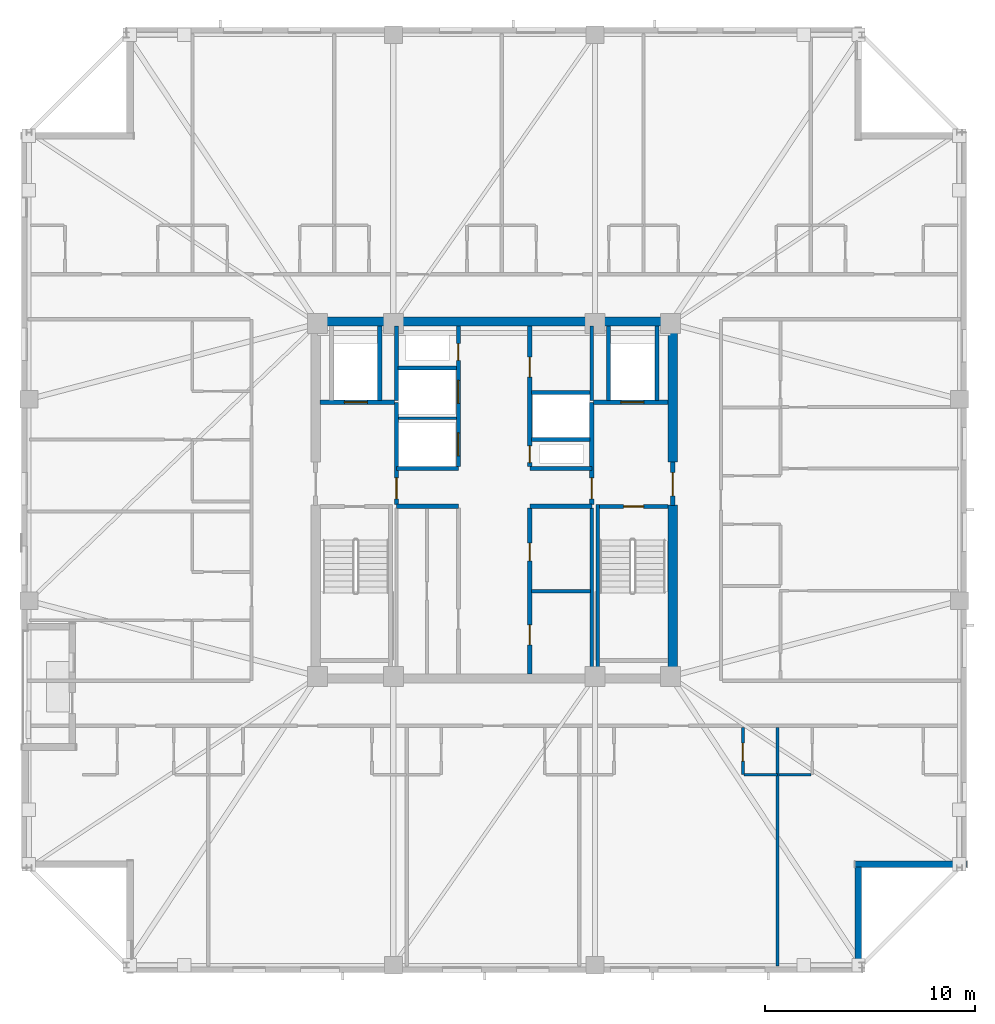
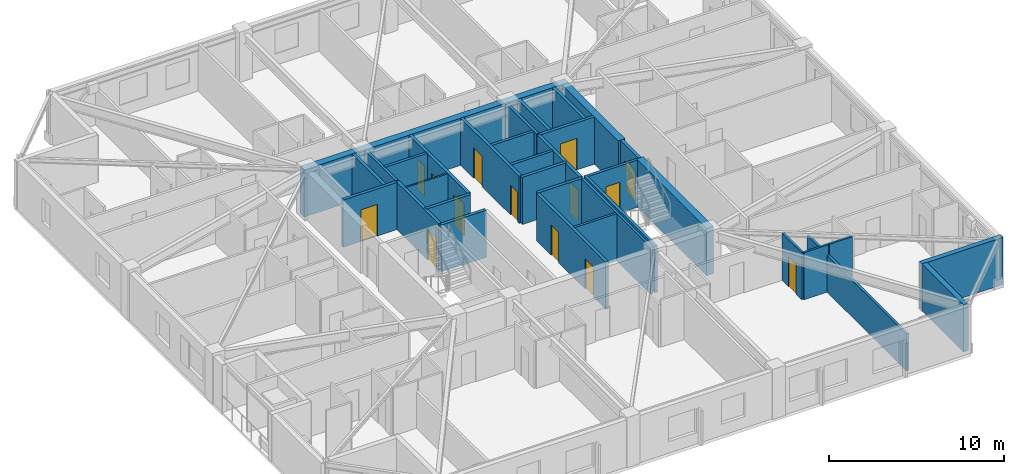
# One storey, part 9 of 17: 34 walls, 14 doors, 14 openings.
"""IFC4 building model written with IfcOpenShell, lengths in metres."""

from ifc_helpers import new_model, si_unit, direction, frame, frame_2d, origin, place, context, subcontext, project, spatial, rectangle, extrude, material, layer, layer_set, type_object, element, fill, save


model = new_model("IFC4")

# Units and contexts
model_context = context("Model", 3, precision=1e-05, world=origin(), true_north=direction((0.0, 1.0)))
body_context = subcontext(model_context, "Body", "Model", "MODEL_VIEW")
ifc_project = project(units=[si_unit("LENGTHUNIT", "METRE"), si_unit("AREAUNIT", "SQUARE_METRE"), si_unit("VOLUMEUNIT", "CUBIC_METRE"), si_unit("PLANEANGLEUNIT", "RADIAN"), si_unit("MASSUNIT", "GRAM", prefix="KILO")], contexts=[model_context])

# Site, building, storey
site_placement = place(None, origin())
site = spatial("IfcSite", under=ifc_project, at=site_placement, CompositionType="ELEMENT")
building_placement = place(site_placement, origin())
building = spatial("IfcBuilding", under=site, at=building_placement, Name="Cairnveth Concourse Tower", CompositionType="ELEMENT")
storey_placement = place(building_placement, frame((0.0, 0.0, 251.5)))
storey = spatial("IfcBuildingStorey", under=building, at=storey_placement, Name="L69", CompositionType="ELEMENT", Elevation=251.5)

# Walls
ifc_material_1 = material(Name="Gypsum Plasterboard Partition", Category="gypsum")
ifc_layer_1 = layer(ifc_material_1, 0.159912109375)
ifc_layer_set_1 = layer_set([ifc_layer_1], Name="Gypsum Plasterboard Partition")
wall_type_1 = type_object("IfcWallType", Name="ACOUSTIC PARTY WALL 180", PredefinedType="PARTITIONING", material=ifc_layer_set_1)
wall_1_placement = place(storey_placement, frame((56.64990234375, 30.7099609375, 0.0), z_axis=(0.0, 0.0, 1.0), x_axis=(0.0, 1.0, 0.0)))
element("IfcWall", 1, at=wall_1_placement, inside=storey, type_object=wall_type_1, Name="Interior Wall IW-L69-027", PredefinedType="PARTITIONING", context=body_context, shape_type="SweptSolid", body=[
    extrude(rectangle(XDim=7.905029296875, YDim=0.159912109375, at=frame_2d((3.95263671875, 0.0))), origin(), (0.0, 0.0, 1.0), 3.2900390625),
])
wall_2_placement = place(storey_placement, frame((53.784912109375, 34.64990234375, 0.0), z_axis=(0.0, 0.0, 1.0), x_axis=(1.0, 0.0, 0.0)))
element("IfcWall", 2, at=wall_2_placement, inside=storey, type_object=wall_type_1, Name="Interior Wall IW-L69-028", PredefinedType="PARTITIONING", context=body_context, shape_type="SweptSolid", body=[
    extrude(rectangle(XDim=2.800048828125, YDim=0.159912109375, at=frame_2d((1.39990234375, 0.0))), origin(), (0.0, 0.0, 1.0), 3.2900390625),
])
wall_3_placement = place(storey_placement, frame((65.49560546875, 16.804931640625, 0.0), z_axis=(0.0, 0.0, 1.0), x_axis=(0.0, 1.0, 0.0)))
element("IfcWall", 3, at=wall_3_placement, inside=storey, type_object=wall_type_1, Name="Interior Wall IW-L69-062", PredefinedType="PARTITIONING", context=body_context, shape_type="SweptSolid", body=[
    extrude(rectangle(XDim=11.36767578125, YDim=0.159912109375, at=frame_2d((5.683837890625, 0.0))), origin(), (0.0, 0.0, 1.0), 2.572998046875),
])
ifc_material_2 = material(Name="Concrete N65 (65 MPa)", Category="concrete")
ifc_layer_2 = layer(ifc_material_2, 0.449951171875)
ifc_layer_set_2 = layer_set([ifc_layer_2], Name="Concrete N65 (65 MPa)")
wall_type_2 = type_object("IfcWallType", Name="CORE SHEAR WALL 450", PredefinedType="SHEAR", material=ifc_layer_set_2)
wall_4_placement = place(storey_placement, frame((43.27490234375, 47.5, 0.0), z_axis=(0.0, 0.0, 1.0), x_axis=(1.0, 0.0, 0.0)))
element("IfcWall", 4, at=wall_4_placement, inside=storey, type_object=wall_type_2, Name="Core North Shear Wall L69", PredefinedType="SHEAR", context=body_context, shape_type="SweptSolid", body=[
    extrude(rectangle(XDim=17.4501953125, YDim=0.449951171875, at=frame_2d((8.72509765625, 0.0))), origin(), (0.0, 0.0, 1.0), 3.2900390625),
])
wall_5_placement = place(storey_placement, frame((60.5, 30.715087890625, 0.0), z_axis=(0.0, 0.0, 1.0), x_axis=(0.0, 1.0, 0.0)))
element("IfcWall", 5, at=wall_5_placement, inside=storey, type_object=wall_type_2, Name="Core East Shear Wall S L69", PredefinedType="SHEAR", context=body_context, shape_type="SweptSolid", body=[
    extrude(rectangle(XDim=8.034912109375, YDim=0.449951171875, at=frame_2d((4.017578125, 0.0))), origin(), (0.0, 0.0, 1.0), 3.2900390625),
])
wall_6_placement = place(storey_placement, frame((60.5, 40.800048828125, 0.0), z_axis=(0.0, 0.0, 1.0), x_axis=(0.0, 1.0, 0.0)))
element("IfcWall", 6, at=wall_6_placement, inside=storey, type_object=wall_type_2, Name="Core East Shear Wall N L69", PredefinedType="SHEAR", context=body_context, shape_type="SweptSolid", body=[
    extrude(rectangle(XDim=6.48486328125, YDim=0.449951171875, at=frame_2d((3.242431640625, 0.0))), origin(), (0.0, 0.0, 1.0), 3.2900390625),
])
ifc_material_3 = material(Name="Concrete N50 (50 MPa)", Category="concrete")
ifc_layer_3 = layer(ifc_material_3, 0.179931640625)
ifc_layer_set_3 = layer_set([ifc_layer_3], Name="Concrete N50 (50 MPa)")
wall_type_3 = type_object("IfcWallType", Name="FIRE SHAFT WALL 180", PredefinedType="SOLIDWALL", material=ifc_layer_set_3)
wall_7_placement = place(storey_placement, frame((47.35009765625, 43.735107421875, 0.0), z_axis=(0.0, 0.0, 1.0), x_axis=(0.0, 1.0, 0.0)))
element("IfcWall", 7, at=wall_7_placement, inside=storey, type_object=wall_type_3, Name="Interior Wall IW-L69-029", PredefinedType="SOLIDWALL", context=body_context, shape_type="SweptSolid", body=[
    extrude(rectangle(XDim=3.554931640625, YDim=0.179931640625, at=frame_2d((1.77734375, 0.0))), origin(), (0.0, 0.0, 1.0), 3.2900390625),
])
wall_8_placement = place(storey_placement, frame((47.425048828125, 45.280029296875, 0.0), z_axis=(0.0, 0.0, 1.0), x_axis=(1.0, 0.0, 0.0)))
element("IfcWall", 8, at=wall_8_placement, inside=storey, type_object=wall_type_3, Name="Interior Wall IW-L69-031", PredefinedType="SOLIDWALL", context=body_context, shape_type="SweptSolid", body=[
    extrude(rectangle(XDim=2.7900390625, YDim=0.179931640625, at=frame_2d((1.39501953125, 0.0))), origin(), (0.0, 0.0, 1.0), 3.2900390625),
])
wall_9_placement = place(storey_placement, frame((56.64990234375, 43.735107421875, 0.0), z_axis=(0.0, 0.0, 1.0), x_axis=(0.0, 1.0, 0.0)))
element("IfcWall", 9, at=wall_9_placement, inside=storey, type_object=wall_type_3, Name="Interior Wall IW-L69-032", PredefinedType="SOLIDWALL", context=body_context, shape_type="SweptSolid", body=[
    extrude(rectangle(XDim=3.554931640625, YDim=0.179931640625, at=frame_2d((1.77734375, 0.0))), origin(), (0.0, 0.0, 1.0), 3.2900390625),
])
wall_10_placement = place(storey_placement, frame((53.784912109375, 41.8798828125, 0.0), z_axis=(0.0, 0.0, 1.0), x_axis=(1.0, 0.0, 0.0)))
element("IfcWall", 10, at=wall_10_placement, inside=storey, type_object=wall_type_3, Name="Interior Wall IW-L69-033", PredefinedType="SOLIDWALL", context=body_context, shape_type="SweptSolid", body=[
    extrude(rectangle(XDim=2.780029296875, YDim=0.179931640625, at=frame_2d((1.39013671875, 0.0))), origin(), (0.0, 0.0, 1.0), 3.2900390625),
])
wall_11_placement = place(storey_placement, frame((53.784912109375, 44.1201171875, 0.0), z_axis=(0.0, 0.0, 1.0), x_axis=(1.0, 0.0, 0.0)))
element("IfcWall", 11, at=wall_11_placement, inside=storey, type_object=wall_type_3, Name="Interior Wall IW-L69-034", PredefinedType="SOLIDWALL", context=body_context, shape_type="SweptSolid", body=[
    extrude(rectangle(XDim=2.7900390625, YDim=0.179931640625, at=frame_2d((1.39501953125, 0.0))), origin(), (0.0, 0.0, 1.0), 3.2900390625),
])

# Wall, opening, door
wall_12_placement = place(storey_placement, frame((57.0048828125, 38.68994140625, 0.0), z_axis=(0.0, 0.0, 1.0), x_axis=(1.0, 0.0, 0.0)))
wall_12 = element("IfcWall", 12, at=wall_12_placement, inside=storey, type_object=wall_type_3, Name="Stair ST-2 Shaft Wall NEAR L69", PredefinedType="SOLIDWALL", context=body_context, shape_type="SweptSolid", body=[
    extrude(rectangle(XDim=3.280029296875, YDim=0.179931640625, at=frame_2d((1.64013671875, 0.0))), origin(), (0.0, 0.0, 1.0), 3.2900390625),
])
opening_1_placement = place(wall_12_placement, frame((1.1650390625, 0.0, 0.0)))
opening_1 = element("IfcOpeningElement", 13, at=opening_1_placement, cuts=wall_12, Name="Opening ID12", PredefinedType="OPENING", context=body_context, shape_type="SweptSolid", body=[
    extrude(rectangle(XDim=0.949951171875, YDim=2.14990234375, at=frame_2d((0.47509765625, 1.074951171875))), frame((0.0, 0.099853515625, 0.0), z_axis=(0.0, -1.0, 0.0), x_axis=(1.0, 0.0, 0.0)), (0.0, 0.0, 1.0), 0.199951171875),
])
ifc_material_4 = material(Name="Steel Grade 350", Category="steel")
door_type_1 = type_object("IfcDoorType", Name="FIRE STAIR DOOR 950X2150", OperationType="NOTDEFINED", PredefinedType="DOOR", material=ifc_material_4)
door_1_placement = place(opening_1_placement, origin())
door_1 = element("IfcDoor", 14, at=door_1_placement, inside=storey, type_object=door_type_1, Name="Stair ST-2 Fire Door L69", OperationType="SINGLE_SWING_RIGHT", OverallHeight=2.14990234375, OverallWidth=0.949951171875, PredefinedType="DOOR", context=body_context, shape_type="SweptSolid", body=[
    extrude(rectangle(XDim=0.949951171875, YDim=2.14990234375, at=frame_2d((0.47509765625, 1.074951171875))), frame((0.0, 0.02490234375, 0.0), z_axis=(0.0, -1.0, 0.0), x_axis=(1.0, 0.0, 0.0)), (0.0, 0.0, 1.0), 0.050048828125),
])
fill(opening_1, door_1)

# Walls
wall_13_placement = place(storey_placement, frame((56.929931640625, 38.780029296875, 0.0), z_axis=(0.0, 0.0, 1.0), x_axis=(0.0, -1.0, 0.0)))
element("IfcWall", 15, at=wall_13_placement, inside=storey, type_object=wall_type_3, Name="Stair ST-2 Shaft Wall LEFT L69", PredefinedType="SOLIDWALL", context=body_context, shape_type="SweptSolid", body=[
    extrude(rectangle(XDim=8.067138671875, YDim=0.179931640625, at=frame_2d((4.03369140625, 0.0))), origin(), (0.0, 0.0, 1.0), 3.2900390625),
])
ifc_layer_4 = layer(ifc_material_3, 0.199951171875)
ifc_layer_set_4 = layer_set([ifc_layer_4], Name="Concrete N50 (50 MPa)")
wall_type_4 = type_object("IfcWallType", Name="FIRE SHAFT WALL 200", PredefinedType="SOLIDWALL", material=ifc_layer_set_4)
for number, where, z_axis, x_axis, name in (
    (16, (47.35009765625, 38.699951171875, 0.0), (0.0, 0.0, 1.0), (1.0, 0.0, 0.0), "Interior Wall IW-L69-007"),
    (17, (47.35009765625, 40.5, 0.0), (0.0, 0.0, 1.0), (1.0, 0.0, 0.0), "Interior Wall IW-L69-008"),
    (18, (53.699951171875, 38.699951171875, 0.0), (0.0, 0.0, 1.0), (1.0, 0.0, 0.0), "Interior Wall IW-L69-009"),
    (19, (53.699951171875, 40.5, 0.0), (0.0, 0.0, 1.0), (1.0, 0.0, 0.0), "Interior Wall IW-L69-010"),
):
    element("IfcWall", number, at=place(storey_placement, frame(where, z_axis=z_axis, x_axis=x_axis)), inside=storey, type_object=wall_type_4, Name=name, PredefinedType="SOLIDWALL", context=body_context, shape_type="SweptSolid", body=[
        extrude(rectangle(XDim=2.949951171875, YDim=0.199951171875, at=frame_2d((1.47509765625, 0.0))), origin(), (0.0, 0.0, 1.0), 3.2900390625),
    ])

# Wall, openings, doors
wall_14_placement = place(storey_placement, frame((53.699951171875, 30.7099609375, 0.0), z_axis=(0.0, 0.0, 1.0), x_axis=(0.0, 1.0, 0.0)))
wall_14 = element("IfcWall", 20, at=wall_14_placement, inside=storey, type_object=wall_type_4, Name="Interior Wall IW-L69-012", PredefinedType="SOLIDWALL", context=body_context, shape_type="SweptSolid", body=[
    extrude(rectangle(XDim=7.905029296875, YDim=0.199951171875, at=frame_2d((3.95263671875, 0.0))), origin(), (0.0, 0.0, 1.0), 3.2900390625),
])
opening_2_placement = place(wall_14_placement, frame((1.389892578125, 0.0, 0.0)))
opening_2 = element("IfcOpeningElement", 21, at=opening_2_placement, cuts=wall_14, Name="Opening ID25", PredefinedType="OPENING", context=body_context, shape_type="SweptSolid", body=[
    extrude(rectangle(XDim=0.949951171875, YDim=2.1201171875, at=frame_2d((0.47509765625, 1.06005859375))), frame((0.0, 0.10986328125, 0.0), z_axis=(0.0, -1.0, 0.0), x_axis=(1.0, 0.0, 0.0)), (0.0, 0.0, 1.0), 0.219970703125),
])
opening_3_placement = place(wall_14_placement, frame((5.389892578125, 0.0, 0.0)))
opening_3 = element("IfcOpeningElement", 22, at=opening_3_placement, cuts=wall_14, Name="Opening ID19", PredefinedType="OPENING", context=body_context, shape_type="SweptSolid", body=[
    extrude(rectangle(XDim=0.85009765625, YDim=2.1201171875, at=frame_2d((0.425048828125, 1.06005859375))), frame((0.0, 0.10986328125, 0.0), z_axis=(0.0, -1.0, 0.0), x_axis=(1.0, 0.0, 0.0)), (0.0, 0.0, 1.0), 0.219970703125),
])
door_type_2 = type_object("IfcDoorType", Name="CORE ACCESSIBLE FIRE DOOR 950X2120", OperationType="NOTDEFINED", PredefinedType="DOOR", material=ifc_material_4)
door_2_placement = place(opening_2_placement, origin())
door_2 = element("IfcDoor", 23, at=door_2_placement, inside=storey, type_object=door_type_2, Name="Sky WC Door L69", OperationType="SINGLE_SWING_LEFT", OverallHeight=2.1201171875, OverallWidth=0.949951171875, PredefinedType="DOOR", context=body_context, shape_type="SweptSolid", body=[
    extrude(rectangle(XDim=0.949951171875, YDim=2.1201171875, at=frame_2d((0.47509765625, 1.06005859375))), frame((0.0, 0.02490234375, 0.0), z_axis=(0.0, -1.0, 0.0), x_axis=(1.0, 0.0, 0.0)), (0.0, 0.0, 1.0), 0.050048828125),
])
fill(opening_2, door_2)
door_type_3 = type_object("IfcDoorType", Name="CORE SERVICE DOOR 850X2100", OperationType="NOTDEFINED", PredefinedType="DOOR", material=ifc_material_4)
door_3_placement = place(opening_3_placement, origin())
door_3 = element("IfcDoor", 24, at=door_3_placement, inside=storey, type_object=door_type_3, Name="Janitor Door L69", OperationType="SINGLE_SWING_RIGHT", OverallHeight=2.1201171875, OverallWidth=0.85009765625, PredefinedType="DOOR", context=body_context, shape_type="SweptSolid", body=[
    extrude(rectangle(XDim=0.85009765625, YDim=2.1201171875, at=frame_2d((0.425048828125, 1.06005859375))), frame((0.0, 0.02490234375, 0.0), z_axis=(0.0, -1.0, 0.0), x_axis=(1.0, 0.0, 0.0)), (0.0, 0.0, 1.0), 0.050048828125),
])
fill(opening_3, door_3)

wall_15_placement = place(storey_placement, frame((50.300048828125, 40.5849609375, 0.0), z_axis=(0.0, 0.0, 1.0), x_axis=(0.0, 1.0, 0.0)))
wall_15 = element("IfcWall", 25, at=wall_15_placement, inside=storey, type_object=wall_type_4, Name="Interior Wall IW-L69-013", PredefinedType="SOLIDWALL", context=body_context, shape_type="SweptSolid", body=[
    extrude(rectangle(XDim=6.705078125, YDim=0.199951171875, at=frame_2d((3.3525390625, 0.0))), origin(), (0.0, 0.0, 1.0), 3.2900390625),
])
opening_4_placement = place(wall_15_placement, frame((0.514892578125, 0.0, 0.0)))
opening_4 = element("IfcOpeningElement", 26, at=opening_4_placement, cuts=wall_15, Name="Opening LD-1", PredefinedType="OPENING", context=body_context, shape_type="SweptSolid", body=[
    extrude(rectangle(XDim=1.10009765625, YDim=2.199951171875, at=frame_2d((0.550048828125, 1.10009765625))), frame((0.0, 0.10986328125, 0.0), z_axis=(0.0, -1.0, 0.0), x_axis=(1.0, 0.0, 0.0)), (0.0, 0.0, 1.0), 0.219970703125),
])
opening_5_placement = place(wall_15_placement, frame((3.014892578125, 0.0, 0.0)))
opening_5 = element("IfcOpeningElement", 27, at=opening_5_placement, cuts=wall_15, Name="Opening LD-1", PredefinedType="OPENING", context=body_context, shape_type="SweptSolid", body=[
    extrude(rectangle(XDim=1.10009765625, YDim=2.199951171875, at=frame_2d((0.550048828125, 1.10009765625))), frame((0.0, 0.10986328125, 0.0), z_axis=(0.0, -1.0, 0.0), x_axis=(1.0, 0.0, 0.0)), (0.0, 0.0, 1.0), 0.219970703125),
])
opening_6_placement = place(wall_15_placement, frame((5.06494140625, 0.0, 0.0)))
opening_6 = element("IfcOpeningElement", 28, at=opening_6_placement, cuts=wall_15, Name="Opening ID24", PredefinedType="OPENING", context=body_context, shape_type="SweptSolid", body=[
    extrude(rectangle(XDim=0.800048828125, YDim=2.080078125, at=frame_2d((0.39990234375, 1.0400390625))), frame((0.0, 0.10986328125, 0.0), z_axis=(0.0, -1.0, 0.0), x_axis=(1.0, 0.0, 0.0)), (0.0, 0.0, 1.0), 0.219970703125),
])
ifc_material_5 = material(Name="Architectural Bronze Anodised Aluminium 6063-T6", Category="aluminium")
door_type_4 = type_object("IfcDoorType", Name="LIFT LANDING DOOR 1100X2200", OperationType="SLIDING_TO_LEFT", PredefinedType="DOOR", material=ifc_material_5)
door_4_placement = place(opening_4_placement, origin())
door_4 = element("IfcDoor", 29, at=door_4_placement, inside=storey, type_object=door_type_4, Name="Lift PL7 Landing Door L69", OperationType="SLIDING_TO_LEFT", OverallHeight=2.199951171875, OverallWidth=1.10009765625, PredefinedType="DOOR", context=body_context, shape_type="SweptSolid", body=[
    extrude(rectangle(XDim=1.10009765625, YDim=2.199951171875, at=frame_2d((0.550048828125, 1.10009765625))), frame((0.0, 0.02490234375, 0.0), z_axis=(0.0, -1.0, 0.0), x_axis=(1.0, 0.0, 0.0)), (0.0, 0.0, 1.0), 0.050048828125),
])
fill(opening_4, door_4)
door_5_placement = place(opening_5_placement, origin())
door_5 = element("IfcDoor", 30, at=door_5_placement, inside=storey, type_object=door_type_4, Name="Lift PL8 Landing Door L69", OperationType="SLIDING_TO_LEFT", OverallHeight=2.199951171875, OverallWidth=1.10009765625, PredefinedType="DOOR", context=body_context, shape_type="SweptSolid", body=[
    extrude(rectangle(XDim=1.10009765625, YDim=2.199951171875, at=frame_2d((0.550048828125, 1.10009765625))), frame((0.0, 0.02490234375, 0.0), z_axis=(0.0, -1.0, 0.0), x_axis=(1.0, 0.0, 0.0)), (0.0, 0.0, 1.0), 0.050048828125),
])
fill(opening_5, door_5)
door_type_5 = type_object("IfcDoorType", Name="RISER ACCESS DOOR 800X2100", OperationType="NOTDEFINED", PredefinedType="DOOR", material=ifc_material_4)
door_6_placement = place(opening_6_placement, origin())
door_6 = element("IfcDoor", 31, at=door_6_placement, inside=storey, type_object=door_type_5, Name="NW Electrical Riser Access Door L69", OperationType="SINGLE_SWING_LEFT", OverallHeight=2.080078125, OverallWidth=0.800048828125, PredefinedType="DOOR", context=body_context, shape_type="SweptSolid", body=[
    extrude(rectangle(XDim=0.800048828125, YDim=2.080078125, at=frame_2d((0.39990234375, 1.0400390625))), frame((0.0, 0.02490234375, 0.0), z_axis=(0.0, -1.0, 0.0), x_axis=(1.0, 0.0, 0.0)), (0.0, 0.0, 1.0), 0.050048828125),
])
fill(opening_6, door_6)

wall_16_placement = place(storey_placement, frame((53.699951171875, 40.5849609375, 0.0), z_axis=(0.0, 0.0, 1.0), x_axis=(0.0, 1.0, 0.0)))
wall_16 = element("IfcWall", 32, at=wall_16_placement, inside=storey, type_object=wall_type_4, Name="Interior Wall IW-L69-014", PredefinedType="SOLIDWALL", context=body_context, shape_type="SweptSolid", body=[
    extrude(rectangle(XDim=6.705078125, YDim=0.199951171875, at=frame_2d((3.3525390625, 0.0))), origin(), (0.0, 0.0, 1.0), 3.2900390625),
])
opening_7_placement = place(wall_16_placement, frame((0.195068359375, 0.0, 0.0)))
opening_7 = element("IfcOpeningElement", 33, at=opening_7_placement, cuts=wall_16, Name="Opening ID24", PredefinedType="OPENING", context=body_context, shape_type="SweptSolid", body=[
    extrude(rectangle(XDim=0.800048828125, YDim=2.080078125, at=frame_2d((0.39990234375, 1.0400390625))), frame((0.0, 0.10986328125, 0.0), z_axis=(0.0, -1.0, 0.0), x_axis=(1.0, 0.0, 0.0)), (0.0, 0.0, 1.0), 0.219970703125),
])
opening_8_placement = place(wall_16_placement, frame((4.264892578125, 0.0, 0.0)))
opening_8 = element("IfcOpeningElement", 34, at=opening_8_placement, cuts=wall_16, Name="Opening ID25", PredefinedType="OPENING", context=body_context, shape_type="SweptSolid", body=[
    extrude(rectangle(XDim=0.949951171875, YDim=2.1201171875, at=frame_2d((0.47509765625, 1.06005859375))), frame((0.0, 0.10986328125, 0.0), z_axis=(0.0, -1.0, 0.0), x_axis=(1.0, 0.0, 0.0)), (0.0, 0.0, 1.0), 0.219970703125),
])
door_7_placement = place(opening_8_placement, origin())
door_7 = element("IfcDoor", 35, at=door_7_placement, inside=storey, type_object=door_type_2, Name="Core NE Accessible WC Door L69", OperationType="SINGLE_SWING_LEFT", OverallHeight=2.1201171875, OverallWidth=0.949951171875, PredefinedType="DOOR", context=body_context, shape_type="SweptSolid", body=[
    extrude(rectangle(XDim=0.949951171875, YDim=2.1201171875, at=frame_2d((0.47509765625, 1.06005859375))), frame((0.0, 0.02490234375, 0.0), z_axis=(0.0, -1.0, 0.0), x_axis=(1.0, 0.0, 0.0)), (0.0, 0.0, 1.0), 0.050048828125),
])
fill(opening_8, door_7)
door_8_placement = place(opening_7_placement, origin())
door_8 = element("IfcDoor", 36, at=door_8_placement, inside=storey, type_object=door_type_5, Name="Hydraulic Riser Door L69", OperationType="SINGLE_SWING_RIGHT", OverallHeight=2.080078125, OverallWidth=0.800048828125, PredefinedType="DOOR", context=body_context, shape_type="SweptSolid", body=[
    extrude(rectangle(XDim=0.800048828125, YDim=2.080078125, at=frame_2d((0.39990234375, 1.0400390625))), frame((0.0, 0.02490234375, 0.0), z_axis=(0.0, -1.0, 0.0), x_axis=(1.0, 0.0, 0.0)), (0.0, 0.0, 1.0), 0.050048828125),
])
fill(opening_7, door_8)

# Wall, opening, door
wall_17_placement = place(storey_placement, frame((47.35009765625, 38.784912109375, 0.0), z_axis=(0.0, 0.0, 1.0), x_axis=(0.0, 1.0, 0.0)))
wall_17 = element("IfcWall", 37, at=wall_17_placement, inside=storey, type_object=wall_type_4, Name="Interior Wall IW-L69-016", PredefinedType="SOLIDWALL", context=body_context, shape_type="SweptSolid", body=[
    extrude(rectangle(XDim=4.864990234375, YDim=0.199951171875, at=frame_2d((2.4326171875, 0.0))), origin(), (0.0, 0.0, 1.0), 3.2900390625),
])
opening_9_placement = place(wall_17_placement, frame((0.264892578125, 0.0, 0.0)))
opening_9 = element("IfcOpeningElement", 38, at=opening_9_placement, cuts=wall_17, Name="Opening ID07", PredefinedType="OPENING", context=body_context, shape_type="SweptSolid", body=[
    extrude(rectangle(XDim=1.0, YDim=2.14990234375, at=frame_2d((0.5, 1.074951171875))), frame((0.0, 0.10986328125, 0.0), z_axis=(0.0, -1.0, 0.0), x_axis=(1.0, 0.0, 0.0)), (0.0, 0.0, 1.0), 0.219970703125),
])
door_type_6 = type_object("IfcDoorType", Name="FIRE CORRIDOR DOOR 1000X2150", OperationType="NOTDEFINED", PredefinedType="DOOR", material=ifc_material_4)
door_9_placement = place(opening_9_placement, origin())
door_9 = element("IfcDoor", 39, at=door_9_placement, inside=storey, type_object=door_type_6, Name="FF Lobby West to Lift Lobby Door L69", OperationType="SINGLE_SWING_RIGHT", OverallHeight=2.14990234375, OverallWidth=1.0, PredefinedType="DOOR", context=body_context, shape_type="SweptSolid", body=[
    extrude(rectangle(XDim=1.0, YDim=2.14990234375, at=frame_2d((0.5, 1.074951171875))), frame((0.0, 0.02490234375, 0.0), z_axis=(0.0, -1.0, 0.0), x_axis=(1.0, 0.0, 0.0)), (0.0, 0.0, 1.0), 0.050048828125),
])
fill(opening_9, door_9)

wall_18_placement = place(storey_placement, frame((43.7099609375, 43.64990234375, 0.0), z_axis=(0.0, 0.0, 1.0), x_axis=(1.0, 0.0, 0.0)))
wall_18 = element("IfcWall", 40, at=wall_18_placement, inside=storey, type_object=wall_type_4, Name="Interior Wall IW-L69-017", PredefinedType="SOLIDWALL", context=body_context, shape_type="SweptSolid", body=[
    extrude(rectangle(XDim=3.554931640625, YDim=0.199951171875, at=frame_2d((1.77734375, 0.0))), origin(), (0.0, 0.0, 1.0), 3.2900390625),
])
opening_10_placement = place(wall_18_placement, frame((1.159912109375, 0.0, 0.0)))
opening_10 = element("IfcOpeningElement", 41, at=opening_10_placement, cuts=wall_18, Name="Opening LD-1", PredefinedType="OPENING", context=body_context, shape_type="SweptSolid", body=[
    extrude(rectangle(XDim=1.10009765625, YDim=2.199951171875, at=frame_2d((0.550048828125, 1.10009765625))), frame((0.0, 0.10986328125, 0.0), z_axis=(0.0, -1.0, 0.0), x_axis=(1.0, 0.0, 0.0)), (0.0, 0.0, 1.0), 0.219970703125),
])
door_10_placement = place(opening_10_placement, origin())
door_10 = element("IfcDoor", 42, at=door_10_placement, inside=storey, type_object=door_type_4, Name="Lift FFL1 Landing Door L69", OperationType="SLIDING_TO_LEFT", OverallHeight=2.199951171875, OverallWidth=1.10009765625, PredefinedType="DOOR", context=body_context, shape_type="SweptSolid", body=[
    extrude(rectangle(XDim=1.10009765625, YDim=2.199951171875, at=frame_2d((0.550048828125, 1.10009765625))), frame((0.0, 0.02490234375, 0.0), z_axis=(0.0, -1.0, 0.0), x_axis=(1.0, 0.0, 0.0)), (0.0, 0.0, 1.0), 0.050048828125),
])
fill(opening_10, door_10)

# Wall
wall_19_placement = place(storey_placement, frame((46.550048828125, 43.735107421875, 0.0), z_axis=(0.0, 0.0, 1.0), x_axis=(0.0, 1.0, 0.0)))
element("IfcWall", 43, at=wall_19_placement, inside=storey, type_object=wall_type_4, Name="Interior Wall IW-L69-018", PredefinedType="SOLIDWALL", context=body_context, shape_type="SweptSolid", body=[
    extrude(rectangle(XDim=3.554931640625, YDim=0.199951171875, at=frame_2d((1.77734375, 0.0))), origin(), (0.0, 0.0, 1.0), 3.2900390625),
])

# Wall, opening, door
wall_20_placement = place(storey_placement, frame((60.5, 38.75, 0.0), z_axis=(0.0, 0.0, 1.0), x_axis=(0.0, 1.0, 0.0)))
wall_20 = element("IfcWall", 44, at=wall_20_placement, inside=storey, type_object=wall_type_4, Name="Interior Wall IW-L69-020", PredefinedType="SOLIDWALL", context=body_context, shape_type="SweptSolid", body=[
    extrude(rectangle(XDim=2.050048828125, YDim=0.199951171875, at=frame_2d((1.02490234375, 0.0))), origin(), (0.0, 0.0, 1.0), 3.2900390625),
])
opening_11_placement = place(wall_20_placement, frame((0.449951171875, 0.0, 0.0)))
opening_11 = element("IfcOpeningElement", 45, at=opening_11_placement, cuts=wall_20, Name="Opening ID06", PredefinedType="OPENING", context=body_context, shape_type="SweptSolid", body=[
    extrude(rectangle(XDim=1.10009765625, YDim=2.14990234375, at=frame_2d((0.550048828125, 1.074951171875))), frame((0.0, 0.10986328125, 0.0), z_axis=(0.0, -1.0, 0.0), x_axis=(1.0, 0.0, 0.0)), (0.0, 0.0, 1.0), 0.219970703125),
])
door_type_7 = type_object("IfcDoorType", Name="FIRE CORRIDOR DOOR 1100X2150", OperationType="NOTDEFINED", PredefinedType="DOOR", material=ifc_material_4)
door_11_placement = place(opening_11_placement, origin())
door_11 = element("IfcDoor", 46, at=door_11_placement, inside=storey, type_object=door_type_7, Name="East Wing to FF Lobby Door L69", OperationType="SINGLE_SWING_RIGHT", OverallHeight=2.14990234375, OverallWidth=1.10009765625, PredefinedType="DOOR", context=body_context, shape_type="SweptSolid", body=[
    extrude(rectangle(XDim=1.10009765625, YDim=2.14990234375, at=frame_2d((0.550048828125, 1.074951171875))), frame((0.0, 0.02490234375, 0.0), z_axis=(0.0, -1.0, 0.0), x_axis=(1.0, 0.0, 0.0)), (0.0, 0.0, 1.0), 0.050048828125),
])
fill(opening_11, door_11)

wall_21_placement = place(storey_placement, frame((56.64990234375, 38.784912109375, 0.0), z_axis=(0.0, 0.0, 1.0), x_axis=(0.0, 1.0, 0.0)))
wall_21 = element("IfcWall", 47, at=wall_21_placement, inside=storey, type_object=wall_type_4, Name="Interior Wall IW-L69-021", PredefinedType="SOLIDWALL", context=body_context, shape_type="SweptSolid", body=[
    extrude(rectangle(XDim=4.864990234375, YDim=0.199951171875, at=frame_2d((2.4326171875, 0.0))), origin(), (0.0, 0.0, 1.0), 3.2900390625),
])
opening_12_placement = place(wall_21_placement, frame((0.264892578125, 0.0, 0.0)))
opening_12 = element("IfcOpeningElement", 48, at=opening_12_placement, cuts=wall_21, Name="Opening ID07", PredefinedType="OPENING", context=body_context, shape_type="SweptSolid", body=[
    extrude(rectangle(XDim=1.0, YDim=2.14990234375, at=frame_2d((0.5, 1.074951171875))), frame((0.0, 0.10986328125, 0.0), z_axis=(0.0, -1.0, 0.0), x_axis=(1.0, 0.0, 0.0)), (0.0, 0.0, 1.0), 0.219970703125),
])
door_12_placement = place(opening_12_placement, origin())
door_12 = element("IfcDoor", 49, at=door_12_placement, inside=storey, type_object=door_type_6, Name="FF Lobby East to Lift Lobby Door L69", OperationType="SINGLE_SWING_LEFT", OverallHeight=2.14990234375, OverallWidth=1.0, PredefinedType="DOOR", context=body_context, shape_type="SweptSolid", body=[
    extrude(rectangle(XDim=1.0, YDim=2.14990234375, at=frame_2d((0.5, 1.074951171875))), frame((0.0, 0.02490234375, 0.0), z_axis=(0.0, -1.0, 0.0), x_axis=(1.0, 0.0, 0.0)), (0.0, 0.0, 1.0), 0.050048828125),
])
fill(opening_12, door_12)

wall_22_placement = place(storey_placement, frame((56.735107421875, 43.64990234375, 0.0), z_axis=(0.0, 0.0, 1.0), x_axis=(1.0, 0.0, 0.0)))
wall_22 = element("IfcWall", 50, at=wall_22_placement, inside=storey, type_object=wall_type_4, Name="Interior Wall IW-L69-022", PredefinedType="SOLIDWALL", context=body_context, shape_type="SweptSolid", body=[
    extrude(rectangle(XDim=3.554931640625, YDim=0.199951171875, at=frame_2d((1.77734375, 0.0))), origin(), (0.0, 0.0, 1.0), 3.2900390625),
])
opening_13_placement = place(wall_22_placement, frame((1.294921875, 0.0, 0.0)))
opening_13 = element("IfcOpeningElement", 51, at=opening_13_placement, cuts=wall_22, Name="Opening LD-1", PredefinedType="OPENING", context=body_context, shape_type="SweptSolid", body=[
    extrude(rectangle(XDim=1.10009765625, YDim=2.199951171875, at=frame_2d((0.550048828125, 1.10009765625))), frame((0.0, 0.10986328125, 0.0), z_axis=(0.0, -1.0, 0.0), x_axis=(1.0, 0.0, 0.0)), (0.0, 0.0, 1.0), 0.219970703125),
])
door_13_placement = place(opening_13_placement, origin())
door_13 = element("IfcDoor", 52, at=door_13_placement, inside=storey, type_object=door_type_4, Name="Lift FFL2 Landing Door L69", OperationType="SLIDING_TO_LEFT", OverallHeight=2.199951171875, OverallWidth=1.10009765625, PredefinedType="DOOR", context=body_context, shape_type="SweptSolid", body=[
    extrude(rectangle(XDim=1.10009765625, YDim=2.199951171875, at=frame_2d((0.550048828125, 1.10009765625))), frame((0.0, 0.02490234375, 0.0), z_axis=(0.0, -1.0, 0.0), x_axis=(1.0, 0.0, 0.0)), (0.0, 0.0, 1.0), 0.050048828125),
])
fill(opening_13, door_13)

# Walls
for number, where, z_axis, x_axis, name in (
    (53, (57.449951171875, 43.735107421875, 0.0), (0.0, 0.0, 1.0), (0.0, 1.0, 0.0), "Interior Wall IW-L69-023"),
    (54, (59.75, 43.735107421875, 0.0), (0.0, 0.0, 1.0), (0.0, 1.0, 0.0), "Interior Wall IW-L69-024"),
):
    element("IfcWall", number, at=place(storey_placement, frame(where, z_axis=z_axis, x_axis=x_axis)), inside=storey, type_object=wall_type_4, Name=name, PredefinedType="SOLIDWALL", context=body_context, shape_type="SweptSolid", body=[
        extrude(rectangle(XDim=3.554931640625, YDim=0.199951171875, at=frame_2d((1.77734375, 0.0))), origin(), (0.0, 0.0, 1.0), 3.2900390625),
    ])
ifc_layer_5 = layer(ifc_material_1, 0.110107421875)
ifc_layer_set_5 = layer_set([ifc_layer_5], Name="Gypsum Plasterboard Partition")
wall_type_5 = type_object("IfcWallType", Name="SHAFT DIVIDER WALL 140", PredefinedType="PARTITIONING", material=ifc_layer_set_5)
wall_23_placement = place(storey_placement, frame((47.43505859375, 42.89990234375, 0.0), z_axis=(0.0, 0.0, 1.0), x_axis=(1.0, 0.0, 0.0)))
element("IfcWall", 55, at=wall_23_placement, inside=storey, type_object=wall_type_5, Name="Interior Wall IW-L69-030", PredefinedType="PARTITIONING", context=body_context, shape_type="SweptSolid", body=[
    extrude(rectangle(XDim=2.780029296875, YDim=0.110107421875, at=frame_2d((1.39013671875, 0.0))), origin(), (0.0, 0.0, 1.0), 3.2900390625),
])

# Wall, opening, door
ifc_layer_6 = layer(ifc_material_1, 0.1298828125)
ifc_layer_set_6 = layer_set([ifc_layer_6], Name="Gypsum Plasterboard Partition")
wall_type_6 = type_object("IfcWallType", Name="WET AREA PARTITION 140", PredefinedType="PLUMBINGWALL", material=ifc_layer_set_6)
wall_24_placement = place(storey_placement, frame((63.845458984375, 25.922607421875, 0.0), z_axis=(0.0, 0.0, 1.0), x_axis=(0.0, 1.0, 0.0)))
wall_24 = element("IfcWall", 56, at=wall_24_placement, inside=storey, type_object=wall_type_6, Name="Interior Wall IW-L69-060", PredefinedType="PLUMBINGWALL", context=body_context, shape_type="SweptSolid", body=[
    extrude(rectangle(XDim=2.25, YDim=0.1298828125, at=frame_2d((1.125, 0.0))), origin(), (0.0, 0.0, 1.0), 3.2900390625),
])
opening_14_placement = place(wall_24_placement, frame((0.64990234375, 0.0, 0.0)))
opening_14 = element("IfcOpeningElement", 57, at=opening_14_placement, cuts=wall_24, Name="Opening ID20", PredefinedType="OPENING", context=body_context, shape_type="SweptSolid", body=[
    extrude(rectangle(XDim=0.85009765625, YDim=2.10009765625, at=frame_2d((0.425048828125, 1.050048828125))), frame((0.0, 0.074951171875, 0.0), z_axis=(0.0, -1.0, 0.0), x_axis=(1.0, 0.0, 0.0)), (0.0, 0.0, 1.0), 0.14990234375),
])
ifc_material_6 = material(Name="Solid Core Hardwood Timber Leaf", Category="wood")
door_type_8 = type_object("IfcDoorType", Name="INTERIOR SINGLE DOOR 850X2100", OperationType="NOTDEFINED", PredefinedType="DOOR", material=ifc_material_6)
door_14_placement = place(opening_14_placement, origin())
door_14 = element("IfcDoor", 58, at=door_14_placement, inside=storey, type_object=door_type_8, Name="L69STS4 Kitchen Door", OperationType="SINGLE_SWING_RIGHT", OverallHeight=2.10009765625, OverallWidth=0.85009765625, PredefinedType="DOOR", context=body_context, shape_type="SweptSolid", body=[
    extrude(rectangle(XDim=0.85009765625, YDim=2.10009765625, at=frame_2d((0.425048828125, 1.050048828125))), frame((0.0, 0.02490234375, 0.0), z_axis=(0.0, -1.0, 0.0), x_axis=(1.0, 0.0, 0.0)), (0.0, 0.0, 1.0), 0.050048828125),
])
fill(opening_14, door_14)

# Walls
wall_25_placement = place(storey_placement, frame((63.8955078125, 25.922607421875, 0.0), z_axis=(0.0, 0.0, 1.0), x_axis=(1.0, 0.0, 0.0)))
element("IfcWall", 59, at=wall_25_placement, inside=storey, type_object=wall_type_6, Name="Interior Wall IW-L69-061", PredefinedType="PLUMBINGWALL", context=body_context, shape_type="SweptSolid", body=[
    extrude(rectangle(XDim=1.60009765625, YDim=0.1298828125, at=frame_2d((0.800048828125, 0.0))), origin(), (0.0, 0.0, 1.0), 3.2900390625),
])
wall_26_placement = place(storey_placement, frame((65.560546875, 25.922607421875, 0.0), z_axis=(0.0, 0.0, 1.0), x_axis=(1.0, 0.0, 0.0)))
element("IfcWall", 60, at=wall_26_placement, inside=storey, type_object=wall_type_6, Name="Interior Wall IW-L69-064", PredefinedType="PLUMBINGWALL", context=body_context, shape_type="SweptSolid", body=[
    extrude(rectangle(XDim=1.534912109375, YDim=0.1298828125, at=frame_2d((0.767578125, 0.0))), origin(), (0.0, 0.0, 1.0), 3.2900390625),
])
ifc_material_7 = material(Name="Melbourne Buff Fired Clay Brick Masonry", Category="masonry")
ifc_layer_7 = layer(ifc_material_7, 0.320068359375)
ifc_layer_set_7 = layer_set([ifc_layer_7], Name="Melbourne Buff Fired Clay Brick Masonry")
wall_type_7 = type_object("IfcWallType", Name="ZONE 3 BRICK PIER SPANDREL WALL 320", PredefinedType="SOLIDWALL", material=ifc_layer_set_7)
wall_27_placement = place(storey_placement, frame((74.5, 21.659912109375, 0.0), z_axis=(0.0, 0.0, 1.0), x_axis=(-1.0, 0.0, 0.0)))
element("IfcWall", 61, at=wall_27_placement, inside=storey, type_object=wall_type_7, Name="Exterior Wall EW-L69-S07", PredefinedType="SOLIDWALL", context=body_context, shape_type="SweptSolid", body=[
    extrude(rectangle(XDim=5.320068359375, YDim=0.320068359375, at=frame_2d((2.66015625, 0.0))), origin(), (0.0, 0.0, 1.0), 3.2900390625),
])
wall_28_placement = place(storey_placement, frame((69.340087890625, 21.52197265625, 0.0), z_axis=(0.0, 0.0, 1.0), x_axis=(0.0, -1.0, 0.0)))
element("IfcWall", 62, at=wall_28_placement, inside=storey, type_object=wall_type_7, Name="Exterior Wall EW-L69-S08", PredefinedType="SOLIDWALL", context=body_context, shape_type="SweptSolid", body=[
    extrude(rectangle(XDim=4.723876953125, YDim=0.320068359375, at=frame_2d((2.36181640625, 0.0))), origin(), (0.0, 0.0, 1.0), 3.2900390625),
])

save(model, "model.ifc")
